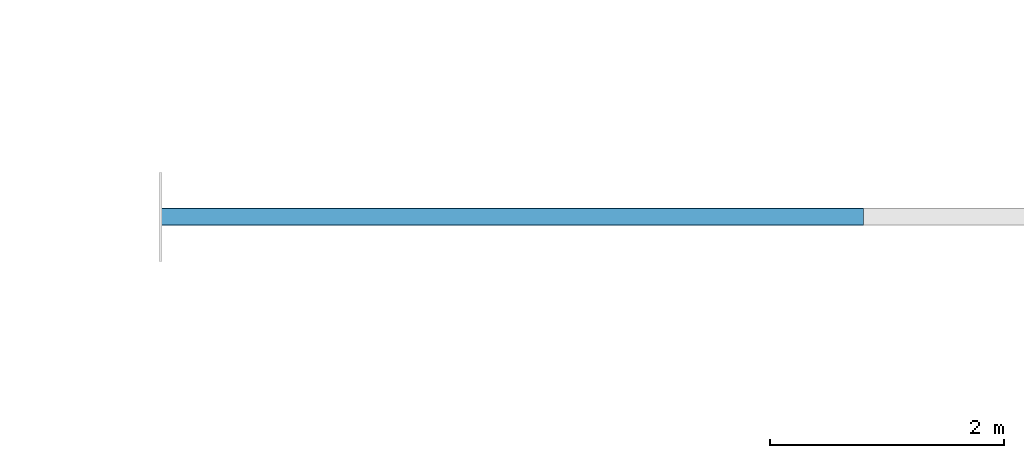
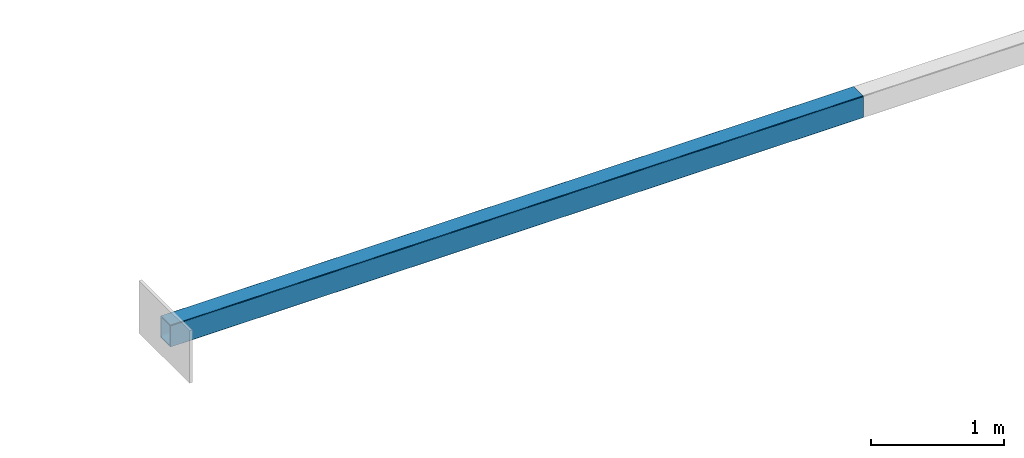
# One storey, part 19 of 94: 1 member.
"""IFC4 building model written with IfcOpenShell, lengths in metres."""

from ifc_helpers import new_model, si_unit, direction, frame, origin_with_axes, origin_2d_with_axis, place, context, subcontext, project, spatial, hollow_rectangle, extrude, material, material_profile, profile_set, type_object, element, save


model = new_model("IFC4")

# Units and contexts
model_context = context("Model", 3, precision=1e-05, world=origin_with_axes(), true_north=direction((0.0, 1.0)))
body_context = subcontext(model_context, "Body", "Model", "MODEL_VIEW")
ifc_project = project(units=[si_unit("LENGTHUNIT", "METRE"), si_unit("AREAUNIT", "SQUARE_METRE"), si_unit("VOLUMEUNIT", "CUBIC_METRE"), si_unit("PLANEANGLEUNIT", "RADIAN"), si_unit("MASSUNIT", "GRAM", prefix="KILO"), si_unit("THERMODYNAMICTEMPERATUREUNIT", "KELVIN")], contexts=[model_context])

# Site, building, storey
site_placement = place(None, origin_with_axes())
site = spatial("IfcSite", under=ifc_project, at=site_placement, CompositionType="ELEMENT")
building_placement = place(site_placement, origin_with_axes())
building = spatial("IfcBuilding", under=site, at=building_placement, Name="Montbau Bow Law Courts", CompositionType="ELEMENT")
storey_placement = place(building_placement, frame((0.0, 0.0, 15.6), z_axis=(0.0, 0.0, 1.0), x_axis=(1.0, 0.0, 0.0)))
storey = spatial("IfcBuildingStorey", under=building, at=storey_placement, Name="L03", CompositionType="ELEMENT", Elevation=15.6)

# Member
ifc_material = material(Name="Steel CSA G40.21 Grade 350WT (350 MPa)", Category="steel")
ifc_material_profile = material_profile(ifc_material, hollow_rectangle(XDim=0.152, YDim=0.203, WallThickness=0.0095, InnerFilletRadius=0.019, OuterFilletRadius=0.0095, at=origin_2d_with_axis()), Name="HSS203X152X9.5", Category="Main", Priority=0)
ifc_profile_set = profile_set([ifc_material_profile], Name="Steel CSA G40.21 Grade 350WT (350 MPa)")
member_type = type_object("IfcMemberType", Name="M-PUR-01", PredefinedType="PURLIN", material=ifc_profile_set)
member_placement = place(None, frame((63.6, 30.6, 15.538), z_axis=(1.0, 0.0, 0.0), x_axis=(0.0, 1.0, 0.0)))
element("IfcMember", 1, at=member_placement, inside=storey, type_object=member_type, Name="Barrel vault roof truss purlin V4-053", PredefinedType="PURLIN", context=body_context, shape_type="SweptSolid", body=[
    extrude(hollow_rectangle(XDim=0.152, YDim=0.203, WallThickness=0.0095, InnerFilletRadius=0.019, OuterFilletRadius=0.0095, at=origin_2d_with_axis()), origin_with_axes(), (0.0, 0.0, 1.0), 6.0),
])

save(model, "model.ifc")
